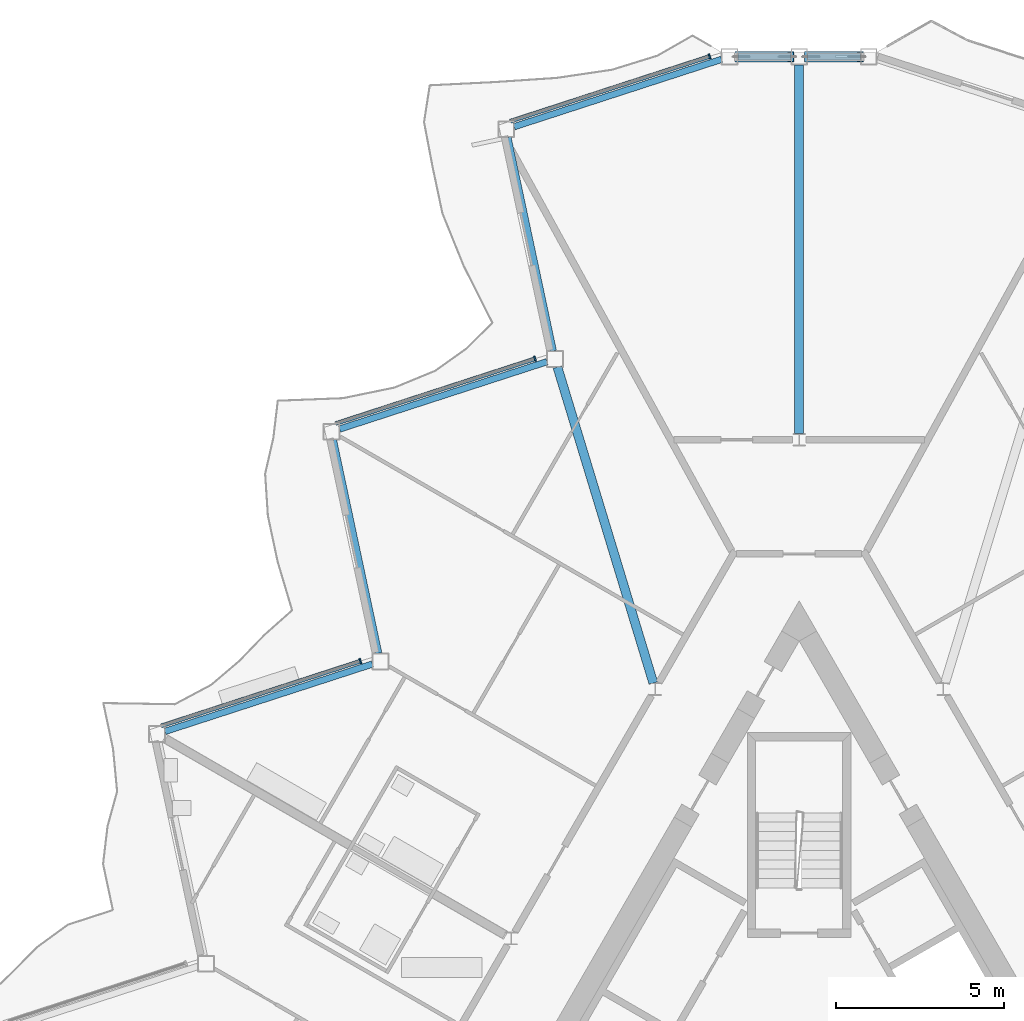
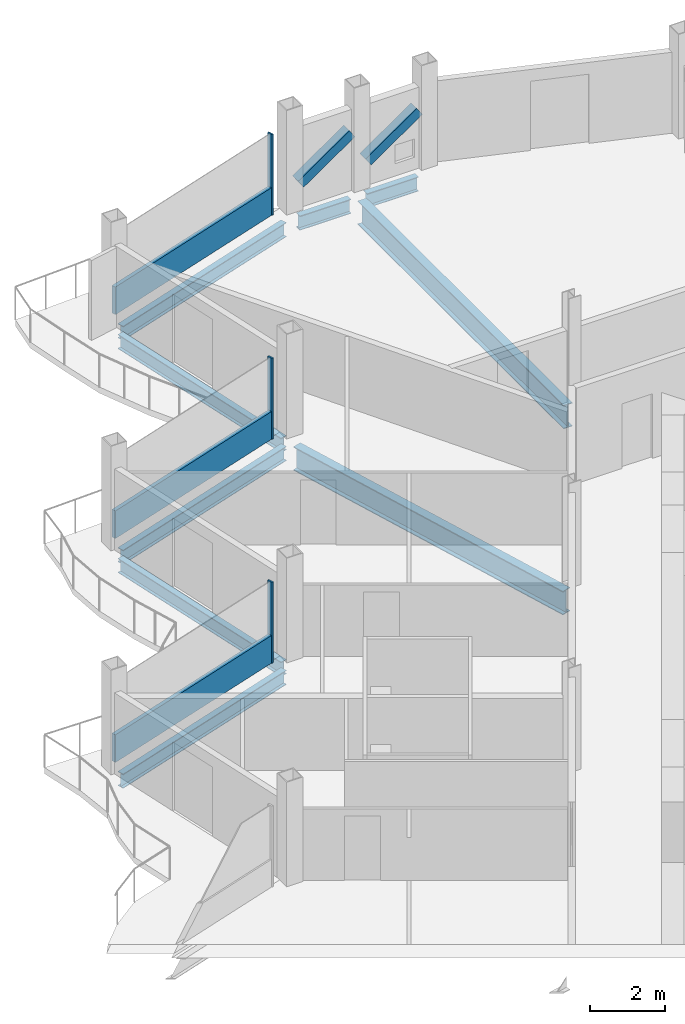
# One storey, part 9 of 25: 9 beams, 8 members, 3 elements without a shape of their own.
"""IFC4 building model written with IfcOpenShell, lengths in metres."""

from ifc_helpers import new_model, si_unit, direction, frame, origin, origin_2d, place, context, subcontext, project, spatial, rectangle, hollow_rectangle, i_section, extrude, material, layer, layer_set, material_profile, profile_set, type_object, element, aggregate, save


model = new_model("IFC4")

# Units and contexts
model_context = context("Model", 3, precision=1e-05, world=origin(), true_north=direction((0.0, 1.0)))
body_context = subcontext(model_context, "Body", "Model", "MODEL_VIEW")
ifc_project = project(units=[si_unit("LENGTHUNIT", "METRE"), si_unit("AREAUNIT", "SQUARE_METRE"), si_unit("VOLUMEUNIT", "CUBIC_METRE"), si_unit("PLANEANGLEUNIT", "RADIAN"), si_unit("MASSUNIT", "GRAM", prefix="KILO")], contexts=[model_context])

# Site, building, storey
site_placement = place(None, origin())
site = spatial("IfcSite", under=ifc_project, at=site_placement, CompositionType="ELEMENT")
building_placement = place(site_placement, origin())
building = spatial("IfcBuilding", under=site, at=building_placement, Name="Cormorant Prow Tower", CompositionType="ELEMENT")
storey_placement = place(building_placement, frame((0.0, 0.0, 395.0)))
storey = spatial("IfcBuildingStorey", under=building, at=storey_placement, Name="L90", CompositionType="ELEMENT", Elevation=395.0)

# Members
ifc_material_1 = material(Name="Structural steel ASTM A500 Gr C", Category="steel")
ifc_material_profile_1 = material_profile(ifc_material_1, hollow_rectangle(XDim=0.3046875, YDim=0.3046875, WallThickness=0.01171875, at=origin_2d()), Name="HSS12x12x1/2")
ifc_profile_set_1 = profile_set([ifc_material_profile_1], Name="Structural steel ASTM A500 Gr C")
member_type_1 = type_object("IfcMemberType", Name="Chamfer brace HSS12x12x1/2", PredefinedType="BRACE", material=ifc_profile_set_1)
for number, where, z_axis, x_axis, name in (
    (1, (0.246826171875, 31.219482421875, 0.7705078125), (0.82250770082, 0.0, 0.568753973254), (0.0, 1.0, 0.0), "Chamfer brace BR3 at N00 L90"),
    (2, (-1.8271484375, 31.219482421875, 0.7705078125), (0.82250770082, 0.0, 0.568753973254), (0.0, 1.0, 0.0), "Chamfer brace BR3 at N01 L90"),
):
    element("IfcMember", number, at=place(storey_placement, frame(where, z_axis=z_axis, x_axis=x_axis)), inside=storey, type_object=member_type_1, Name=name, PredefinedType="BRACE", context=body_context, shape_type="SweptSolid", body=[
        extrude(hollow_rectangle(XDim=0.3046875, YDim=0.3046875, WallThickness=0.01171875, at=origin_2d()), origin(), (0.0, 0.0, 1.0), 1.92138671875),
    ])

# Beams
ifc_material_2 = material(Name="Structural steel ASTM A992 Gr 50", Category="steel")
ifc_material_profile_2 = material_profile(ifc_material_2, i_section(OverallWidth=0.267822265625, OverallDepth=0.77001953125, WebThickness=0.015625, FlangeThickness=0.025390625, at=origin_2d()), Name="W30x132")
ifc_profile_set_2 = profile_set([ifc_material_profile_2], Name="Structural steel ASTM A992 Gr 50")
beam_type_1 = type_object("IfcBeamType", Name="Radial floor beam W30x132", PredefinedType="BEAM", material=ifc_profile_set_2)
beam_1_placement = place(storey_placement, frame((0.0, 19.998046875, -0.68505859375), z_axis=(0.0, 1.0, 0.0), x_axis=(-1.0, 0.0, 0.0)))
element("IfcBeam", 3, at=beam_1_placement, inside=storey, type_object=beam_type_1, Name="Radial floor beam FB3 1 L90", PredefinedType="BEAM", context=body_context, shape_type="SweptSolid", body=[
    extrude(i_section(OverallWidth=0.267822265625, OverallDepth=0.77001953125, WebThickness=0.015625, FlangeThickness=0.025390625, at=origin_2d()), origin(), (0.0, 0.0, 1.0), 10.971435546875),
])
beam_2_placement = place(storey_placement, frame((-4.343505859375, 12.560791015625, -0.68505859375), z_axis=(-0.290499864147, 0.956875033079, 0.0), x_axis=(-0.956875033079, -0.290499864147, 0.0)))
element("IfcBeam", 4, at=beam_2_placement, inside=storey, type_object=beam_type_1, Name="Radial floor beam FB3 2 L90", PredefinedType="BEAM", context=body_context, shape_type="SweptSolid", body=[
    extrude(i_section(OverallWidth=0.267822265625, OverallDepth=0.77001953125, WebThickness=0.015625, FlangeThickness=0.025390625, at=origin_2d()), origin(), (0.0, 0.0, 1.0), 9.837158203125),
])

# Curtain wall, member
ifc_material_3 = material(Name="Aluminium 6063-T6", Category="aluminium")
ifc_layer = layer(ifc_material_3, 0.159912109375)
ifc_layer_set = layer_set([ifc_layer], Name="Aluminium 6063-T6")
curtain_wall_type = type_object("IfcCurtainWallType", Name="Residential unitised curtain wall 160", PredefinedType="NOTDEFINED", material=ifc_layer_set)
curtain_wall_1_placement = place(storey_placement, origin())
curtain_wall_1 = element("IfcCurtainWall", 5, at=curtain_wall_1_placement, inside=storey, type_object=curtain_wall_type, Name="Residential curtain wall WNW00", PredefinedType="NOTDEFINED")
ifc_material_4 = material(Name="Aluminium 6063-T6", Category="aluminium")
ifc_material_profile_3 = material_profile(ifc_material_4, rectangle(XDim=0.159912109375, YDim=0.050048828125, at=origin_2d()), Name="Residential mullion 50x160")
ifc_profile_set_3 = profile_set([ifc_material_profile_3], Name="Aluminium 6063-T6")
member_type_2 = type_object("IfcMemberType", Name="Residential mullion 50x160", PredefinedType="MULLION", material=ifc_profile_set_3)
member_1_placement = place(storey_placement, frame((-2.669921875, 31.228271484375, 0.0), z_axis=(0.0, 0.0, 1.0), x_axis=(0.309016937108, -0.951056534902, 0.0)))
member_1 = element("IfcMember", 6, at=member_1_placement, type_object=member_type_2, Name="Residential mullion WNW00", PredefinedType="MULLION", context=body_context, shape_type="SweptSolid", body=[
    extrude(rectangle(XDim=0.159912109375, YDim=0.050048828125, at=origin_2d()), origin(), (0.0, 0.0, 1.0), 2.6337890625),
])

curtain_wall_2_placement = place(storey_placement, origin())
curtain_wall_2 = element("IfcCurtainWall", 7, at=curtain_wall_2_placement, inside=storey, type_object=curtain_wall_type, Name="Residential curtain wall WNW02", PredefinedType="NOTDEFINED")
member_2_placement = place(storey_placement, frame((-7.8701171875, 22.2216796875, 0.0), z_axis=(0.0, 0.0, 1.0), x_axis=(0.309016937108, -0.951056534902, 0.0)))
member_2 = element("IfcMember", 8, at=member_2_placement, type_object=member_type_2, Name="Residential mullion WNW02", PredefinedType="MULLION", context=body_context, shape_type="SweptSolid", body=[
    extrude(rectangle(XDim=0.159912109375, YDim=0.050048828125, at=origin_2d()), origin(), (0.0, 0.0, 1.0), 2.6337890625),
])

curtain_wall_3_placement = place(storey_placement, origin())
curtain_wall_3 = element("IfcCurtainWall", 9, at=curtain_wall_3_placement, inside=storey, type_object=curtain_wall_type, Name="Residential curtain wall WNW04", PredefinedType="NOTDEFINED")
member_3_placement = place(storey_placement, frame((-13.070068359375, 13.21484375, 0.0), z_axis=(0.0, 0.0, 1.0), x_axis=(0.309017066365, -0.951056492904, 0.0)))
member_3 = element("IfcMember", 10, at=member_3_placement, type_object=member_type_2, Name="Residential mullion WNW04", PredefinedType="MULLION", context=body_context, shape_type="SweptSolid", body=[
    extrude(rectangle(XDim=0.159912109375, YDim=0.050048828125, at=origin_2d()), origin(), (0.0, 0.0, 1.0), 2.6337890625),
])

# Member
ifc_material_5 = material(Name="Terracotta", Category="masonry")
ifc_material_profile_4 = material_profile(ifc_material_5, rectangle(XDim=0.1201171875, YDim=0.89990234375, at=origin_2d()), Name="Residential terracotta spandrel rail 120x900")
ifc_profile_set_4 = profile_set([ifc_material_profile_4], Name="Terracotta")
member_type_3 = type_object("IfcMemberType", Name="Residential terracotta spandrel rail 120x900", PredefinedType="USERDEFINED", material=ifc_profile_set_4)
member_4_placement = place(storey_placement, frame((-2.69384765625, 31.220458984375, 0.449951171875), z_axis=(-0.951056004715, -0.309018568854, 0.0), x_axis=(0.309018568854, -0.951056004715, 0.0)))
member_4 = element("IfcMember", 11, at=member_4_placement, type_object=member_type_3, Name="Residential spandrel rail WNW00", ObjectType="TRANSOM", PredefinedType="USERDEFINED", context=body_context, shape_type="SweptSolid", body=[
    extrude(rectangle(XDim=0.1201171875, YDim=0.89990234375, at=origin_2d()), origin(), (0.0, 0.0, 1.0), 6.21533203125),
])

aggregate(curtain_wall_1, [member_1, member_4])

member_5_placement = place(storey_placement, frame((-7.893798828125, 22.2138671875, 0.449951171875), z_axis=(-0.951056004715, -0.309018568854, 0.0), x_axis=(0.309018568854, -0.951056004715, 0.0)))
member_5 = element("IfcMember", 12, at=member_5_placement, type_object=member_type_3, Name="Residential spandrel rail WNW02", ObjectType="TRANSOM", PredefinedType="USERDEFINED", context=body_context, shape_type="SweptSolid", body=[
    extrude(rectangle(XDim=0.1201171875, YDim=0.89990234375, at=origin_2d()), origin(), (0.0, 0.0, 1.0), 6.21533203125),
])

aggregate(curtain_wall_2, [member_2, member_5])

member_6_placement = place(storey_placement, frame((-13.09375, 13.207275390625, 0.449951171875), z_axis=(-0.951056004715, -0.309018568854, 0.0), x_axis=(0.309018568854, -0.951056004715, 0.0)))
member_6 = element("IfcMember", 13, at=member_6_placement, type_object=member_type_3, Name="Residential spandrel rail WNW04", ObjectType="TRANSOM", PredefinedType="USERDEFINED", context=body_context, shape_type="SweptSolid", body=[
    extrude(rectangle(XDim=0.1201171875, YDim=0.89990234375, at=origin_2d()), origin(), (0.0, 0.0, 1.0), 6.21533203125),
])

aggregate(curtain_wall_3, [member_3, member_6])

# Beams
ifc_material_6 = material(Name="Structural steel ASTM A992 Gr 50", Category="steel")
ifc_material_profile_5 = material_profile(ifc_material_6, i_section(OverallWidth=0.19287109375, OverallDepth=0.466064453125, WebThickness=0.011474609375, FlangeThickness=0.01904296875, at=origin_2d()), Name="W18x65")
ifc_profile_set_5 = profile_set([ifc_material_profile_5], Name="Structural steel ASTM A992 Gr 50")
beam_type_2 = type_object("IfcBeamType", Name="Spandrel beam W18x65", PredefinedType="SPANDREL", material=ifc_profile_set_5)
for number, where, z_axis, x_axis, name in (
    (14, (1.82373046875, 31.219482421875, -0.532958984375), (-1.0, 0.0, 0.0), (0.0, -1.0, 0.0), "Spandrel beam SB4 N00-N01 L90"),
    (15, (-0.25, 31.219482421875, -0.532958984375), (-1.0, 0.0, 0.0), (0.0, -1.0, 0.0), "Spandrel beam SB4 N01-WNW00 L90"),
):
    element("IfcBeam", number, at=place(storey_placement, frame(where, z_axis=z_axis, x_axis=x_axis)), inside=storey, type_object=beam_type_2, Name=name, PredefinedType="SPANDREL", context=body_context, shape_type="SweptSolid", body=[
        extrude(i_section(OverallWidth=0.19287109375, OverallDepth=0.466064453125, WebThickness=0.011474609375, FlangeThickness=0.01904296875, at=origin_2d()), origin(), (0.0, 0.0, 1.0), 1.57373046875),
    ])
for number, where, z_axis, x_axis, name in (
    (16, (-2.3115234375, 31.142333984375, -0.532958984375), (-0.951056984862, -0.30901555227, 0.0), (0.30901555227, -0.951056984862, 0.0), "Spandrel beam SB4 WNW00-WNW01 L90"),
    (17, (-8.6767578125, 28.812744140625, -0.532958984375), (0.20793784774, -0.978142040543, 0.0), (0.978142040543, 0.20793784774, 0.0), "Spandrel beam SB4 WNW01-WNW02 L90"),
):
    element("IfcBeam", number, at=place(storey_placement, frame(where, z_axis=z_axis, x_axis=x_axis)), inside=storey, type_object=beam_type_2, Name=name, PredefinedType="SPANDREL", context=body_context, shape_type="SweptSolid", body=[
        extrude(i_section(OverallWidth=0.19287109375, OverallDepth=0.466064453125, WebThickness=0.011474609375, FlangeThickness=0.01904296875, at=origin_2d()), origin(), (0.0, 0.0, 1.0), 6.49755859375),
    ])
beam_3_placement = place(storey_placement, frame((-7.511474609375, 22.135498046875, -0.532958984375), z_axis=(-0.951068027308, -0.308981564875, 0.0), x_axis=(0.308981564875, -0.951068027308, 0.0)))
element("IfcBeam", 18, at=beam_3_placement, inside=storey, type_object=beam_type_2, Name="Spandrel beam SB4 WNW02-WNW03 L90", PredefinedType="SPANDREL", context=body_context, shape_type="SweptSolid", body=[
    extrude(i_section(OverallWidth=0.19287109375, OverallDepth=0.466064453125, WebThickness=0.011474609375, FlangeThickness=0.01904296875, at=origin_2d()), origin(), (0.0, 0.0, 1.0), 6.497314453125),
])
beam_4_placement = place(storey_placement, frame((-13.876708984375, 19.80615234375, -0.532958984375), z_axis=(0.207901897373, -0.978149682344, 0.0), x_axis=(0.978149682344, 0.207901897373, 0.0)))
element("IfcBeam", 19, at=beam_4_placement, inside=storey, type_object=beam_type_2, Name="Spandrel beam SB4 WNW03-WNW04 L90", PredefinedType="SPANDREL", context=body_context, shape_type="SweptSolid", body=[
    extrude(i_section(OverallWidth=0.19287109375, OverallDepth=0.466064453125, WebThickness=0.011474609375, FlangeThickness=0.01904296875, at=origin_2d()), origin(), (0.0, 0.0, 1.0), 6.49755859375),
])
beam_5_placement = place(storey_placement, frame((-12.711669921875, 13.12890625, -0.532958984375), z_axis=(-0.951053396625, -0.309026595569, 0.0), x_axis=(0.309026595569, -0.951053396625, 0.0)))
element("IfcBeam", 20, at=beam_5_placement, inside=storey, type_object=beam_type_2, Name="Spandrel beam SB4 WNW04-WNW05 L90", PredefinedType="SPANDREL", context=body_context, shape_type="SweptSolid", body=[
    extrude(i_section(OverallWidth=0.19287109375, OverallDepth=0.466064453125, WebThickness=0.011474609375, FlangeThickness=0.01904296875, at=origin_2d()), origin(), (0.0, 0.0, 1.0), 6.497314453125),
])

save(model, "model.ifc")
